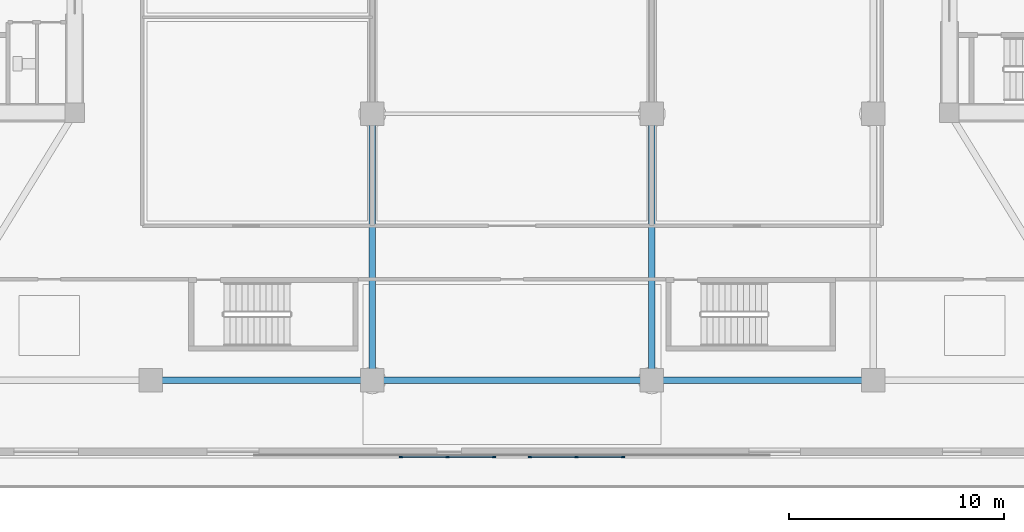
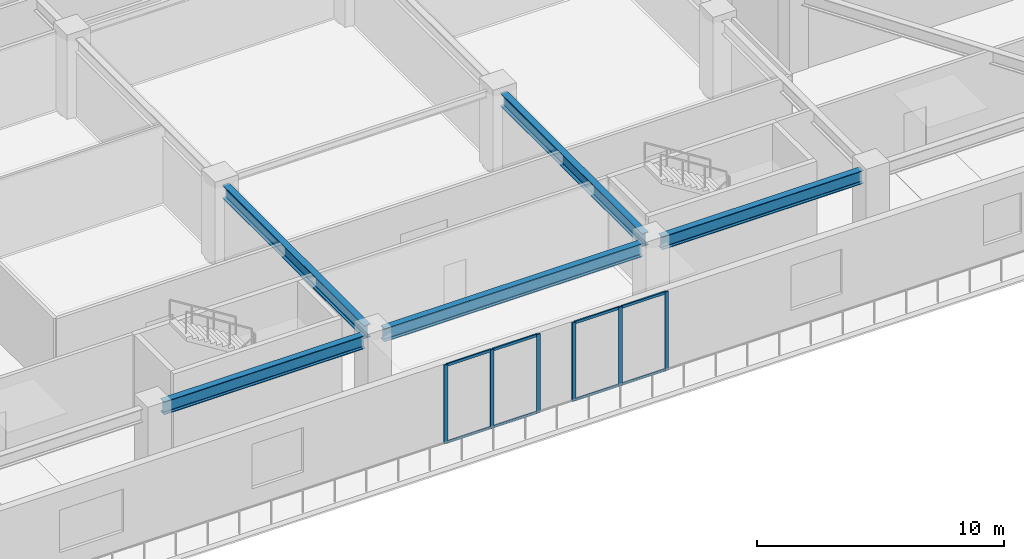
# One storey, part 2 of 23: 14 members, 5 beams, 2 elements without a shape of their own.
"""IFC4 building model written with IfcOpenShell, lengths in metres."""

from ifc_helpers import new_model, si_unit, direction, frame, origin, origin_2d, place, context, subcontext, project, spatial, rectangle, i_section, extrude, source, transform, mapped, material, layer, layer_set, material_profile, profile_set, type_object, type_shapes, element, aggregate, save


model = new_model("IFC4")

# Units and contexts
model_context = context("Model", 3, precision=1e-05, world=origin(), true_north=direction((0.0, 1.0)))
body_context = subcontext(model_context, "Body", "Model", "MODEL_VIEW")
ifc_project = project(units=[si_unit("LENGTHUNIT", "METRE"), si_unit("AREAUNIT", "SQUARE_METRE"), si_unit("VOLUMEUNIT", "CUBIC_METRE"), si_unit("PLANEANGLEUNIT", "RADIAN"), si_unit("MASSUNIT", "GRAM", prefix="KILO")], contexts=[model_context])

# Site, building, storey
site_placement = place(None, origin())
site = spatial("IfcSite", under=ifc_project, at=site_placement, CompositionType="ELEMENT")
building_placement = place(site_placement, origin())
building = spatial("IfcBuilding", under=site, at=building_placement, Name="Norrkilde Senior Care Towers", CompositionType="ELEMENT")
storey_placement = place(building_placement, frame((0.0, 0.0, 8.39990234375)))
storey = spatial("IfcBuildingStorey", under=building, at=storey_placement, Name="L02", CompositionType="ELEMENT", Elevation=8.39990234375)

# Beams
ifc_material_1 = material(Name="Steel S355", Category="steel")
ifc_material_profile_1 = material_profile(ifc_material_1, i_section(OverallWidth=0.300048828125, OverallDepth=0.64990234375, WebThickness=0.01611328125, FlangeThickness=0.031005859375, FilletRadius=0.027099609375, at=origin_2d()), Name="HEB 650")
ifc_profile_set_1 = profile_set([ifc_material_profile_1], Name="Steel S355")
beam_type = type_object("IfcBeamType", Name="Podium Primary Beam HEB650", PredefinedType="BEAM", material=ifc_profile_set_1)
shared_shape_1 = source(origin(), body_context, "Body", "SweptSolid", [
    extrude(i_section(OverallWidth=0.300048828125, OverallDepth=0.64990234375, WebThickness=0.01611328125, FlangeThickness=0.031005859375, FilletRadius=0.027099609375, at=origin_2d()), origin(), (0.0, 0.0, 1.0), 9.400146484375),
])
for number, where, z_axis, x_axis, name in (
    (1, (-16.35009765625, -18.39990234375, 3.55517578125), (1.0, 0.0, 0.0), (0.0, 1.0, 0.0), "L02 Podium E-W Frame Beam 1.4"),
    (2, (6.949951171875, -18.39990234375, 3.55517578125), (1.0, 0.0, 0.0), (0.0, 1.0, 0.0), "L02 Podium E-W Frame Beam 1.6"),
):
    element("IfcBeam", number, at=place(storey_placement, frame(where, z_axis=z_axis, x_axis=x_axis)), inside=storey, type_object=beam_type, Name=name, PredefinedType="BEAM", context=body_context, shape_type="MappedRepresentation", body=[
        mapped(shared_shape_1, transform((0.0, 0.0, 0.0), x_axis=(1.0, 0.0, 0.0), y_axis=(0.0, 1.0, 0.0), z_axis=(0.0, 0.0, 1.0), scale=1.0)),
    ])
shared_shape_2 = source(origin(), body_context, "Body", "SweptSolid", [
    extrude(i_section(OverallWidth=0.300048828125, OverallDepth=0.64990234375, WebThickness=0.01611328125, FlangeThickness=0.031005859375, FilletRadius=0.027099609375, at=origin_2d()), origin(), (0.0, 0.0, 1.0), 12.10009765625),
])
beam_placement = place(storey_placement, frame((-6.050048828125, -18.39990234375, 3.55517578125), z_axis=(1.0, 0.0, 0.0), x_axis=(0.0, 1.0, 0.0)))
element("IfcBeam", 3, at=beam_placement, inside=storey, type_object=beam_type, Name="L02 Podium E-W Frame Beam 1.5", PredefinedType="BEAM", context=body_context, shape_type="MappedRepresentation", body=[
    mapped(shared_shape_2, transform((0.0, 0.0, 0.0), x_axis=(1.0, 0.0, 0.0), y_axis=(0.0, 1.0, 0.0), z_axis=(0.0, 0.0, 1.0), scale=1.0)),
])
shared_shape_3 = source(origin(), body_context, "Body", "SweptSolid", [
    extrude(i_section(OverallWidth=0.300048828125, OverallDepth=0.64990234375, WebThickness=0.01611328125, FlangeThickness=0.031005859375, FilletRadius=0.027099609375, at=origin_2d()), origin(), (0.0, 0.0, 1.0), 11.5),
])
type_shapes(beam_type, [shared_shape_1, shared_shape_2, shared_shape_3])
for number, where, z_axis, x_axis, name in (
    (4, (-6.5, -17.949951171875, 3.55517578125), (0.0, 1.0, 0.0), (-1.0, 0.0, 0.0), "L02 Podium N-S Frame Beam 2.1"),
    (5, (6.5, -17.949951171875, 3.55517578125), (0.0, 1.0, 0.0), (-1.0, 0.0, 0.0), "L02 Podium N-S Frame Beam 3.1"),
):
    element("IfcBeam", number, at=place(storey_placement, frame(where, z_axis=z_axis, x_axis=x_axis)), inside=storey, type_object=beam_type, Name=name, PredefinedType="BEAM", context=body_context, shape_type="MappedRepresentation", body=[
        mapped(shared_shape_3, transform((0.0, 0.0, 0.0), x_axis=(1.0, 0.0, 0.0), y_axis=(0.0, 1.0, 0.0), z_axis=(0.0, 0.0, 1.0), scale=1.0)),
    ])

# Curtain wall, members
ifc_material_2 = material(Name="Triple Low-E Insulated Glazing", Category="glass")
ifc_layer = layer(ifc_material_2, 0.219970703125)
ifc_layer_set = layer_set([ifc_layer], Name="Triple Low-E Insulated Glazing")
curtain_wall_type = type_object("IfcCurtainWallType", Name="CW1 Podium Clinic Terracotta Curtain Wall", PredefinedType="NOTDEFINED", material=ifc_layer_set)
curtain_wall_1_placement = place(storey_placement, origin())
curtain_wall_1 = element("IfcCurtainWall", 6, at=curtain_wall_1_placement, inside=storey, type_object=curtain_wall_type, Name="L02 Podium Portal Feature Curtain Wall 1", PredefinedType="NOTDEFINED")
ifc_material_3 = material(Name="Anodised Aluminium", Category="aluminium")
ifc_material_profile_2 = material_profile(ifc_material_3, rectangle(XDim=0.070068359375, YDim=0.169921875, at=origin_2d()), Name="ALU MULL 70x170")
ifc_profile_set_2 = profile_set([ifc_material_profile_2], Name="Anodised Aluminium")
member_type_1 = type_object("IfcMemberType", Name="Curtain Wall Mullion Heavy 70x170", PredefinedType="MULLION", material=ifc_profile_set_2)
shared_shape_4 = source(origin(), body_context, "Body", "SweptSolid", [
    extrude(rectangle(XDim=0.070068359375, YDim=0.169921875, at=origin_2d()), origin(), (0.0, 0.0, 1.0), 3.880126953125),
])
type_shapes(member_type_1, [shared_shape_4])
member_1_placement = place(storey_placement, frame((-0.8349609375, -21.9599609375, 0.0), z_axis=(0.0, 0.0, 1.0), x_axis=(0.0, -1.0, 0.0)))
member_1 = element("IfcMember", 7, at=member_1_placement, type_object=member_type_1, Name="CW-1 mullion 1", PredefinedType="MULLION", context=body_context, shape_type="MappedRepresentation", body=[
    mapped(shared_shape_4, transform((0.0, 0.0, 0.0), x_axis=(1.0, 0.0, 0.0), y_axis=(0.0, 1.0, 0.0), z_axis=(0.0, 0.0, 1.0), scale=1.0)),
])
member_2_placement = place(storey_placement, frame((-3.0, -21.9599609375, 0.0), z_axis=(0.0, 0.0, 1.0), x_axis=(0.0, -1.0, 0.0)))
member_2 = element("IfcMember", 8, at=member_2_placement, type_object=member_type_1, Name="CW-1 mullion 2", PredefinedType="MULLION", context=body_context, shape_type="MappedRepresentation", body=[
    mapped(shared_shape_4, transform((0.0, 0.0, 0.0), x_axis=(1.0, 0.0, 0.0), y_axis=(0.0, 1.0, 0.0), z_axis=(0.0, 0.0, 1.0), scale=1.0)),
])
member_3_placement = place(storey_placement, frame((-5.1650390625, -21.9599609375, 0.0), z_axis=(0.0, 0.0, 1.0), x_axis=(0.0, -1.0, 0.0)))
member_3 = element("IfcMember", 9, at=member_3_placement, type_object=member_type_1, Name="CW-1 mullion 3", PredefinedType="MULLION", context=body_context, shape_type="MappedRepresentation", body=[
    mapped(shared_shape_4, transform((0.0, 0.0, 0.0), x_axis=(1.0, 0.0, 0.0), y_axis=(0.0, 1.0, 0.0), z_axis=(0.0, 0.0, 1.0), scale=1.0)),
])

curtain_wall_2_placement = place(storey_placement, origin())
curtain_wall_2 = element("IfcCurtainWall", 10, at=curtain_wall_2_placement, inside=storey, type_object=curtain_wall_type, Name="L02 Podium Portal Feature Curtain Wall 2", PredefinedType="NOTDEFINED")
member_4_placement = place(storey_placement, frame((5.1650390625, -21.9599609375, 0.0), z_axis=(0.0, 0.0, 1.0), x_axis=(0.0, -1.0, 0.0)))
member_4 = element("IfcMember", 11, at=member_4_placement, type_object=member_type_1, Name="CW-1 mullion 1", PredefinedType="MULLION", context=body_context, shape_type="MappedRepresentation", body=[
    mapped(shared_shape_4, transform((0.0, 0.0, 0.0), x_axis=(1.0, 0.0, 0.0), y_axis=(0.0, 1.0, 0.0), z_axis=(0.0, 0.0, 1.0), scale=1.0)),
])
member_5_placement = place(storey_placement, frame((3.0, -21.9599609375, 0.0), z_axis=(0.0, 0.0, 1.0), x_axis=(0.0, -1.0, 0.0)))
member_5 = element("IfcMember", 12, at=member_5_placement, type_object=member_type_1, Name="CW-1 mullion 2", PredefinedType="MULLION", context=body_context, shape_type="MappedRepresentation", body=[
    mapped(shared_shape_4, transform((0.0, 0.0, 0.0), x_axis=(1.0, 0.0, 0.0), y_axis=(0.0, 1.0, 0.0), z_axis=(0.0, 0.0, 1.0), scale=1.0)),
])
member_6_placement = place(storey_placement, frame((0.8349609375, -21.9599609375, 0.0), z_axis=(0.0, 0.0, 1.0), x_axis=(0.0, -1.0, 0.0)))
member_6 = element("IfcMember", 13, at=member_6_placement, type_object=member_type_1, Name="CW-1 mullion 3", PredefinedType="MULLION", context=body_context, shape_type="MappedRepresentation", body=[
    mapped(shared_shape_4, transform((0.0, 0.0, 0.0), x_axis=(1.0, 0.0, 0.0), y_axis=(0.0, 1.0, 0.0), z_axis=(0.0, 0.0, 1.0), scale=1.0)),
])

# Member
ifc_material_profile_3 = material_profile(ifc_material_3, rectangle(XDim=0.06494140625, YDim=0.1298828125, at=origin_2d()), Name="ALU TRAN 65x130")
ifc_profile_set_3 = profile_set([ifc_material_profile_3], Name="Anodised Aluminium")
member_type_2 = type_object("IfcMemberType", Name="Curtain Wall Transom Heavy 65x130", PredefinedType="USERDEFINED", material=ifc_profile_set_3)
shared_shape_5 = source(origin(), body_context, "Body", "SweptSolid", [
    extrude(rectangle(XDim=0.06494140625, YDim=0.1298828125, at=origin_2d()), origin(), (0.0, 0.0, 1.0), 2.094970703125),
])
type_shapes(member_type_2, [shared_shape_5])
member_7_placement = place(storey_placement, frame((-0.8701171875, -21.9599609375, 0.03271484375), z_axis=(-1.0, 0.0, 0.0), x_axis=(0.0, -1.0, 0.0)))
member_7 = element("IfcMember", 14, at=member_7_placement, type_object=member_type_2, Name="CW-1 transom 1.1", ObjectType="TRANSOM", PredefinedType="USERDEFINED", context=body_context, shape_type="MappedRepresentation", body=[
    mapped(shared_shape_5, transform((0.0, 0.0, 0.0), x_axis=(1.0, 0.0, 0.0), y_axis=(0.0, 1.0, 0.0), z_axis=(0.0, 0.0, 1.0), scale=1.0)),
])

member_8_placement = place(storey_placement, frame((-0.8701171875, -21.9599609375, 3.84765625), z_axis=(-1.0, 0.0, 0.0), x_axis=(0.0, -1.0, 0.0)))
member_8 = element("IfcMember", 15, at=member_8_placement, type_object=member_type_2, Name="CW-1 transom 1.2", ObjectType="TRANSOM", PredefinedType="USERDEFINED", context=body_context, shape_type="MappedRepresentation", body=[
    mapped(shared_shape_5, transform((0.0, 0.0, 0.0), x_axis=(1.0, 0.0, 0.0), y_axis=(0.0, 1.0, 0.0), z_axis=(0.0, 0.0, 1.0), scale=1.0)),
])

member_9_placement = place(storey_placement, frame((-3.034912109375, -21.9599609375, 0.03271484375), z_axis=(-1.0, 0.0, 0.0), x_axis=(0.0, -1.0, 0.0)))
member_9 = element("IfcMember", 16, at=member_9_placement, type_object=member_type_2, Name="CW-1 transom 2.1", ObjectType="TRANSOM", PredefinedType="USERDEFINED", context=body_context, shape_type="MappedRepresentation", body=[
    mapped(shared_shape_5, transform((0.0, 0.0, 0.0), x_axis=(1.0, 0.0, 0.0), y_axis=(0.0, 1.0, 0.0), z_axis=(0.0, 0.0, 1.0), scale=1.0)),
])

member_10_placement = place(storey_placement, frame((-3.034912109375, -21.9599609375, 3.84765625), z_axis=(-1.0, 0.0, 0.0), x_axis=(0.0, -1.0, 0.0)))
member_10 = element("IfcMember", 17, at=member_10_placement, type_object=member_type_2, Name="CW-1 transom 2.2", ObjectType="TRANSOM", PredefinedType="USERDEFINED", context=body_context, shape_type="MappedRepresentation", body=[
    mapped(shared_shape_5, transform((0.0, 0.0, 0.0), x_axis=(1.0, 0.0, 0.0), y_axis=(0.0, 1.0, 0.0), z_axis=(0.0, 0.0, 1.0), scale=1.0)),
])

aggregate(curtain_wall_1, [member_1, member_2, member_3, member_7, member_8, member_9, member_10])

member_11_placement = place(storey_placement, frame((5.1298828125, -21.9599609375, 0.03271484375), z_axis=(-1.0, 0.0, 0.0), x_axis=(0.0, -1.0, 0.0)))
member_11 = element("IfcMember", 18, at=member_11_placement, type_object=member_type_2, Name="CW-1 transom 1.1", ObjectType="TRANSOM", PredefinedType="USERDEFINED", context=body_context, shape_type="MappedRepresentation", body=[
    mapped(shared_shape_5, transform((0.0, 0.0, 0.0), x_axis=(1.0, 0.0, 0.0), y_axis=(0.0, 1.0, 0.0), z_axis=(0.0, 0.0, 1.0), scale=1.0)),
])

member_12_placement = place(storey_placement, frame((5.1298828125, -21.9599609375, 3.84765625), z_axis=(-1.0, 0.0, 0.0), x_axis=(0.0, -1.0, 0.0)))
member_12 = element("IfcMember", 19, at=member_12_placement, type_object=member_type_2, Name="CW-1 transom 1.2", ObjectType="TRANSOM", PredefinedType="USERDEFINED", context=body_context, shape_type="MappedRepresentation", body=[
    mapped(shared_shape_5, transform((0.0, 0.0, 0.0), x_axis=(1.0, 0.0, 0.0), y_axis=(0.0, 1.0, 0.0), z_axis=(0.0, 0.0, 1.0), scale=1.0)),
])

member_13_placement = place(storey_placement, frame((2.965087890625, -21.9599609375, 0.03271484375), z_axis=(-1.0, 0.0, 0.0), x_axis=(0.0, -1.0, 0.0)))
member_13 = element("IfcMember", 20, at=member_13_placement, type_object=member_type_2, Name="CW-1 transom 2.1", ObjectType="TRANSOM", PredefinedType="USERDEFINED", context=body_context, shape_type="MappedRepresentation", body=[
    mapped(shared_shape_5, transform((0.0, 0.0, 0.0), x_axis=(1.0, 0.0, 0.0), y_axis=(0.0, 1.0, 0.0), z_axis=(0.0, 0.0, 1.0), scale=1.0)),
])

member_14_placement = place(storey_placement, frame((2.965087890625, -21.9599609375, 3.84765625), z_axis=(-1.0, 0.0, 0.0), x_axis=(0.0, -1.0, 0.0)))
member_14 = element("IfcMember", 21, at=member_14_placement, type_object=member_type_2, Name="CW-1 transom 2.2", ObjectType="TRANSOM", PredefinedType="USERDEFINED", context=body_context, shape_type="MappedRepresentation", body=[
    mapped(shared_shape_5, transform((0.0, 0.0, 0.0), x_axis=(1.0, 0.0, 0.0), y_axis=(0.0, 1.0, 0.0), z_axis=(0.0, 0.0, 1.0), scale=1.0)),
])

aggregate(curtain_wall_2, [member_4, member_5, member_6, member_11, member_12, member_13, member_14])

save(model, "model.ifc")
